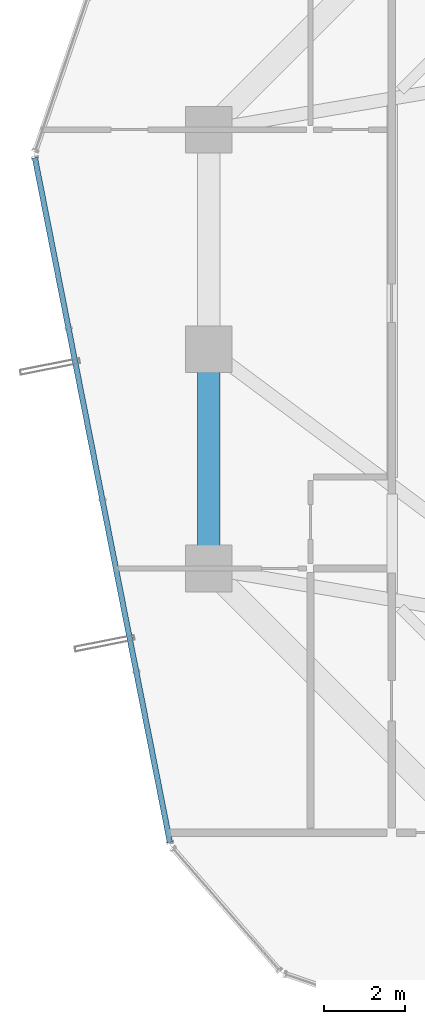
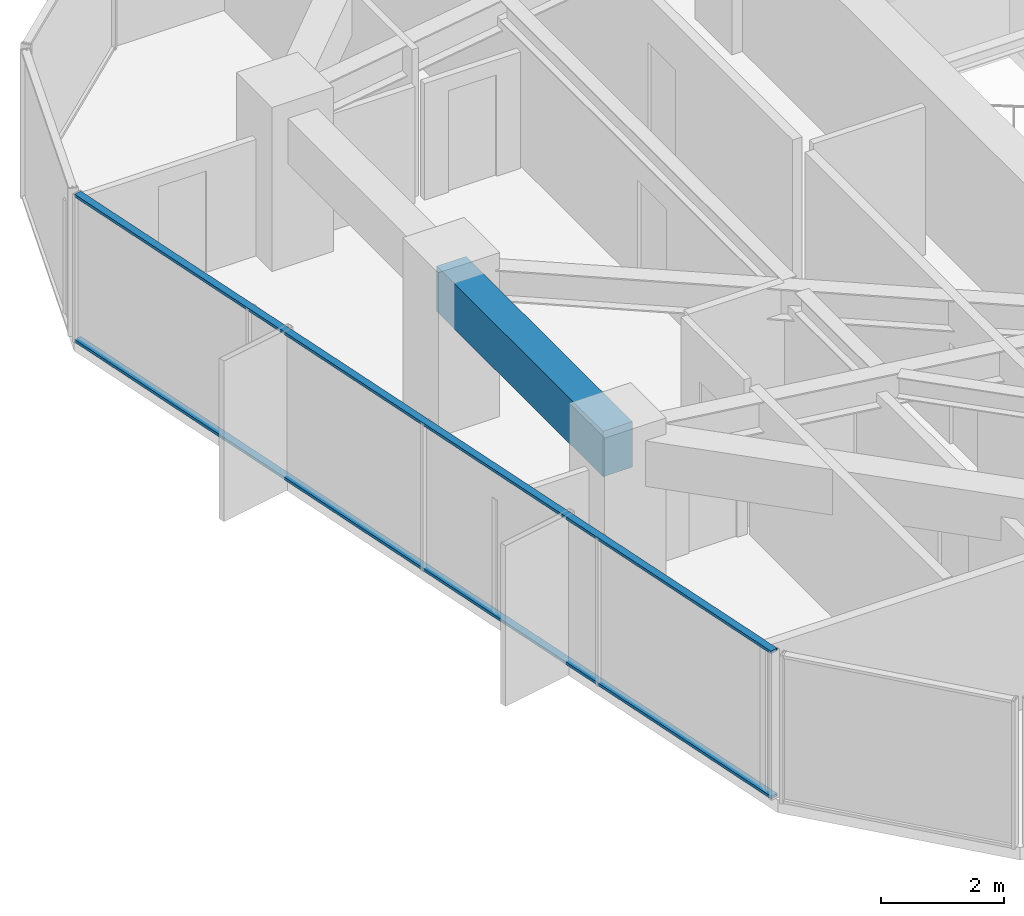
# One storey, part 10 of 36: 2 members, 1 beam, 1 element without a shape of its own.
"""IFC4 building model written with IfcOpenShell, lengths in metres."""

from ifc_helpers import new_model, si_unit, direction, frame, origin, origin_2d, place, context, subcontext, project, spatial, rectangle, hollow_rectangle, extrude, source, transform, mapped, material, layer, layer_set, material_profile, profile_set, type_object, element, aggregate, save


model = new_model("IFC4")

# Units and contexts
model_context = context("Model", 3, precision=1e-05, world=origin(), true_north=direction((0.0, 1.0)))
body_context = subcontext(model_context, "Body", "Model", "MODEL_VIEW")
ifc_project = project(units=[si_unit("LENGTHUNIT", "METRE"), si_unit("AREAUNIT", "SQUARE_METRE"), si_unit("VOLUMEUNIT", "CUBIC_METRE"), si_unit("PLANEANGLEUNIT", "RADIAN"), si_unit("MASSUNIT", "GRAM", prefix="KILO")], contexts=[model_context])

# Site, building, storey
site_placement = place(None, origin())
site = spatial("IfcSite", under=ifc_project, at=site_placement, CompositionType="ELEMENT")
building_placement = place(site_placement, origin())
building = spatial("IfcBuilding", under=site, at=building_placement, Name="Veraguas Prism Commons", CompositionType="ELEMENT")
storey_placement = place(building_placement, frame((0.0, 0.0, 166.300048828125)))
storey = spatial("IfcBuildingStorey", under=building, at=storey_placement, Name="L47", CompositionType="ELEMENT", Elevation=166.300048828125)

# Beam
ifc_material_1 = material(Name="Concrete C50/60", Category="concrete")
ifc_material_profile_1 = material_profile(ifc_material_1, rectangle(XDim=0.550048828125, YDim=0.89990234375, at=origin_2d()), Name="RC550X900")
ifc_profile_set_1 = profile_set([ifc_material_profile_1], Name="Concrete C50/60")
beam_type = type_object("IfcBeamType", Name="Perimeter Spandrel Lower RC 550x900", PredefinedType="SPANDREL", material=ifc_profile_set_1)
beam_placement = place(storey_placement, frame((7.800048828125, 24.0, 2.47998046875), z_axis=(0.0, -1.0, 0.0), x_axis=(1.0, 0.0, 0.0)))
element("IfcBeam", 1, at=beam_placement, inside=storey, type_object=beam_type, Name="Perimeter Spandrel Beam L47-SP08", PredefinedType="SPANDREL", context=body_context, shape_type="SweptSolid", body=[
    extrude(rectangle(XDim=0.550048828125, YDim=0.89990234375, at=origin_2d()), origin(), (0.0, 0.0, 1.0), 5.39990234375),
])

# Curtain wall, members
ifc_material_2 = material(Name="Anodised aluminium EN AW-6063 T6", Category="aluminium")
ifc_layer = layer(ifc_material_2, 0.169921875, Name="Unitised Flush Curtain Wall Zone 2", Category="aluminium")
ifc_layer_set = layer_set([ifc_layer], Name="Anodised aluminium EN AW-6063 T6")
curtain_wall_type = type_object("IfcCurtainWallType", Name="Unitised Flush Curtain Wall Zone 2", PredefinedType="NOTDEFINED", material=ifc_layer_set)
curtain_wall_placement = place(storey_placement, origin())
curtain_wall = element("IfcCurtainWall", 2, at=curtain_wall_placement, inside=storey, type_object=curtain_wall_type, Name="Tower Facade Curtain Wall L47-F3", PredefinedType="NOTDEFINED")
ifc_material_profile_2 = material_profile(ifc_material_2, hollow_rectangle(XDim=0.054931640625, YDim=0.135009765625, WallThickness=0.0029296875, at=origin_2d()), Name="AL55X135X3")
ifc_profile_set_2 = profile_set([ifc_material_profile_2], Name="Anodised aluminium EN AW-6063 T6")
member_type = type_object("IfcMemberType", Name="Curtain Wall Transom Standard AL 55x135x3", PredefinedType="USERDEFINED", material=ifc_profile_set_2)
shared_shape = source(origin(), body_context, "Body", "SweptSolid", [
    extrude(hollow_rectangle(XDim=0.054931640625, YDim=0.135009765625, WallThickness=0.0029296875, at=origin_2d()), origin(), (0.0, 0.0, 1.0), 17.17431640625),
])
member_1_placement = place(storey_placement, frame((3.518310546875, 28.712158203125, 0.02734375), z_axis=(0.193543015058, -0.981091790467, 0.0), x_axis=(0.0, 0.0, 1.0)))
member_1 = element("IfcMember", 3, at=member_1_placement, type_object=member_type, Name="CW-Z2 Transom 1", ObjectType="TRANSOM", PredefinedType="USERDEFINED", context=body_context, shape_type="MappedRepresentation", body=[
    mapped(shared_shape, transform((0.0, 0.0, 0.0), scale=1.0)),
])
member_2_placement = place(storey_placement, frame((3.518310546875, 28.712158203125, 2.90234375), z_axis=(0.193543015058, -0.981091790467, 0.0), x_axis=(0.0, 0.0, 1.0)))
member_2 = element("IfcMember", 4, at=member_2_placement, type_object=member_type, Name="CW-Z2 Transom 2", ObjectType="TRANSOM", PredefinedType="USERDEFINED", context=body_context, shape_type="MappedRepresentation", body=[
    mapped(shared_shape, transform((0.0, 0.0, 0.0), scale=1.0)),
])
aggregate(curtain_wall, [member_1, member_2])

save(model, "model.ifc")
